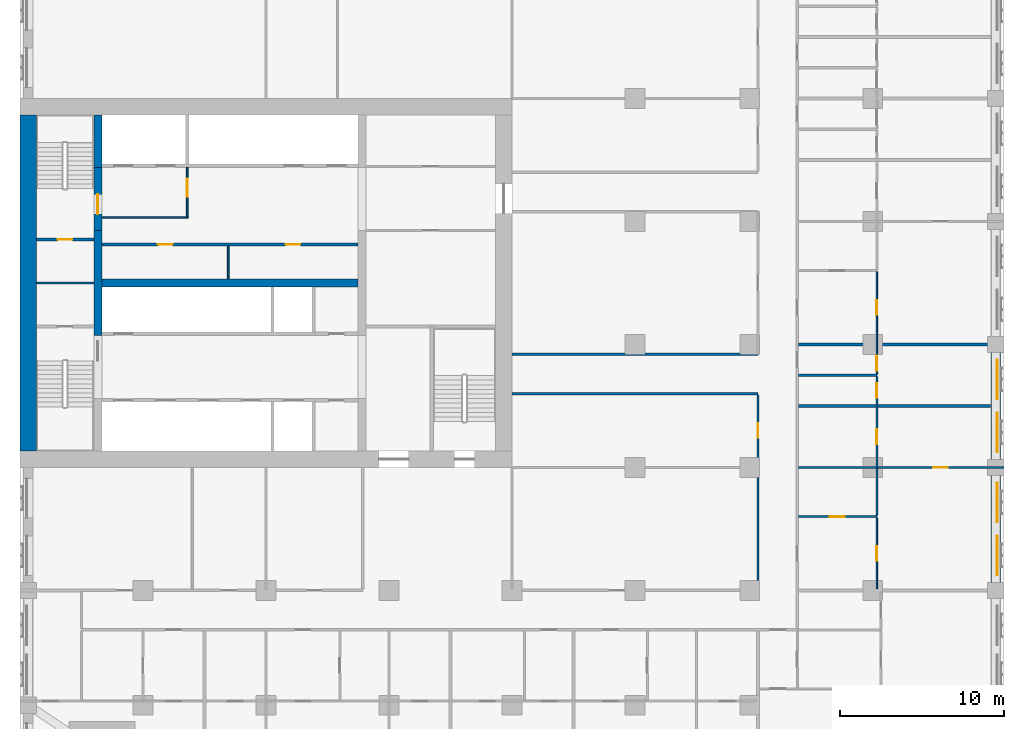
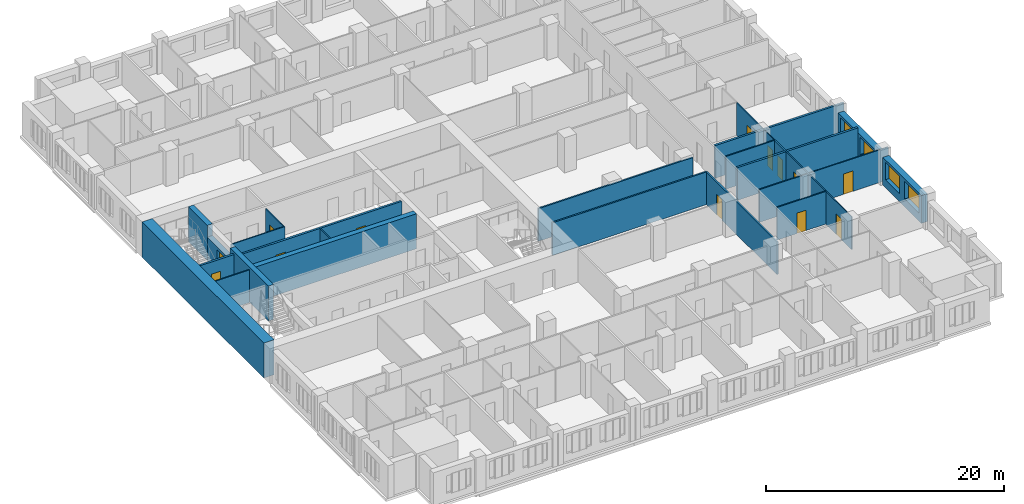
# One storey, part 7 of 14: 25 walls, 13 doors, 4 windows, 17 openings.
"""IFC4 building model written with IfcOpenShell, lengths in metres."""

from ifc_helpers import new_model, si_unit, direction, frame, frame_2d, origin, place, context, subcontext, project, spatial, rectangle, extrude, material, layer, layer_set, type_object, element, fill, save


model = new_model("IFC4")

# Units and contexts
model_context = context("Model", 3, precision=1e-05, world=origin(), true_north=direction((0.0, 1.0)))
body_context = subcontext(model_context, "Body", "Model", "MODEL_VIEW")
ifc_project = project(units=[si_unit("LENGTHUNIT", "METRE"), si_unit("AREAUNIT", "SQUARE_METRE"), si_unit("VOLUMEUNIT", "CUBIC_METRE"), si_unit("PLANEANGLEUNIT", "RADIAN"), si_unit("MASSUNIT", "GRAM", prefix="KILO")], contexts=[model_context])

# Site, building, storey
site_placement = place(None, origin())
site = spatial("IfcSite", under=ifc_project, at=site_placement, CompositionType="ELEMENT")
building_placement = place(site_placement, origin())
building = spatial("IfcBuilding", under=site, at=building_placement, Name="Tamorin Gate", CompositionType="ELEMENT")
storey_placement = place(building_placement, frame((0.0, 0.0, 41.199951171875)))
storey = spatial("IfcBuildingStorey", under=building, at=storey_placement, Name="L08", CompositionType="ELEMENT", Elevation=41.199951171875)

# Wall, openings, windows
ifc_material_1 = material(Name="Precast concrete C40/50", Category="concrete")
ifc_layer_1 = layer(ifc_material_1, 0.60009765625)
ifc_layer_set_1 = layer_set([ifc_layer_1], Name="Precast concrete C40/50")
wall_type_1 = type_object("IfcWallType", Name="Board-marked concrete facade panel 600", PredefinedType="SOLIDWALL", material=ifc_layer_set_1)
wall_1_placement = place(storey_placement, frame((89.5, 53.0, 0.0), z_axis=(0.0, 0.0, 1.0), x_axis=(0.0, 1.0, 0.0)))
wall_1 = element("IfcWall", 1, at=wall_1_placement, inside=storey, type_object=wall_type_1, Name="Facade panel", PredefinedType="SOLIDWALL", context=body_context, shape_type="SweptSolid", body=[
    extrude(rectangle(XDim=6.5, YDim=0.60009765625, at=frame_2d((3.25, 0.0))), origin(), (0.0, 0.0, 1.0), 2.85009765625),
])
opening_1_placement = place(wall_1_placement, frame((0.425048828125, 0.0, 0.800048828125)))
opening_1 = element("IfcOpeningElement", 2, at=opening_1_placement, cuts=wall_1, Name="Opening WN1", PredefinedType="OPENING", context=body_context, shape_type="SweptSolid", body=[
    extrude(rectangle(XDim=2.39990234375, YDim=1.800048828125, at=frame_2d((1.199951171875, 0.89990234375))), frame((0.0, 0.31005859375, 0.0), z_axis=(0.0, -1.0, 0.0), x_axis=(1.0, 0.0, 0.0)), (0.0, 0.0, 1.0), 0.6201171875),
])
opening_2_placement = place(wall_1_placement, frame((3.675048828125, 0.0, 0.800048828125)))
opening_2 = element("IfcOpeningElement", 3, at=opening_2_placement, cuts=wall_1, Name="Opening WN1", PredefinedType="OPENING", context=body_context, shape_type="SweptSolid", body=[
    extrude(rectangle(XDim=2.39990234375, YDim=1.800048828125, at=frame_2d((1.199951171875, 0.89990234375))), frame((0.0, 0.31005859375, 0.0), z_axis=(0.0, -1.0, 0.0), x_axis=(1.0, 0.0, 0.0)), (0.0, 0.0, 1.0), 0.6201171875),
])
ifc_material_2 = material(Name="Clear glass in aluminium frame", Category="aluminium")
window_type = type_object("IfcWindowType", Name="Deep-set window 2400x1800", PartitioningType="SINGLE_PANEL", PredefinedType="WINDOW", material=ifc_material_2)
window_1_placement = place(opening_1_placement, origin())
window_1 = element("IfcWindow", 4, at=window_1_placement, inside=storey, type_object=window_type, Name="Deep-set window", OverallHeight=1.800048828125, OverallWidth=2.39990234375, PartitioningType="SINGLE_PANEL", PredefinedType="WINDOW", context=body_context, shape_type="SweptSolid", body=[
    extrude(rectangle(XDim=2.39990234375, YDim=1.800048828125, at=frame_2d((1.199951171875, 0.89990234375))), frame((0.0, -0.070068359375, 0.0), z_axis=(0.0, -1.0, 0.0), x_axis=(1.0, 0.0, 0.0)), (0.0, 0.0, 1.0), 0.06005859375),
])
fill(opening_1, window_1)
window_2_placement = place(opening_2_placement, origin())
window_2 = element("IfcWindow", 5, at=window_2_placement, inside=storey, type_object=window_type, Name="Deep-set window", OverallHeight=1.800048828125, OverallWidth=2.39990234375, PartitioningType="SINGLE_PANEL", PredefinedType="WINDOW", context=body_context, shape_type="SweptSolid", body=[
    extrude(rectangle(XDim=2.39990234375, YDim=1.800048828125, at=frame_2d((1.199951171875, 0.89990234375))), frame((0.0, -0.070068359375, 0.0), z_axis=(0.0, -1.0, 0.0), x_axis=(1.0, 0.0, 0.0)), (0.0, 0.0, 1.0), 0.06005859375),
])
fill(opening_2, window_2)

wall_2_placement = place(storey_placement, frame((89.5, 60.5, 0.0), z_axis=(0.0, 0.0, 1.0), x_axis=(0.0, 1.0, 0.0)))
wall_2 = element("IfcWall", 6, at=wall_2_placement, inside=storey, type_object=wall_type_1, Name="Facade panel", PredefinedType="SOLIDWALL", context=body_context, shape_type="SweptSolid", body=[
    extrude(rectangle(XDim=6.5, YDim=0.60009765625, at=frame_2d((3.25, 0.0))), origin(), (0.0, 0.0, 1.0), 2.85009765625),
])
opening_3_placement = place(wall_2_placement, frame((0.425048828125, 0.0, 0.800048828125)))
opening_3 = element("IfcOpeningElement", 7, at=opening_3_placement, cuts=wall_2, Name="Opening WN1", PredefinedType="OPENING", context=body_context, shape_type="SweptSolid", body=[
    extrude(rectangle(XDim=2.39990234375, YDim=1.800048828125, at=frame_2d((1.199951171875, 0.89990234375))), frame((0.0, 0.31005859375, 0.0), z_axis=(0.0, -1.0, 0.0), x_axis=(1.0, 0.0, 0.0)), (0.0, 0.0, 1.0), 0.6201171875),
])
opening_4_placement = place(wall_2_placement, frame((3.675048828125, 0.0, 0.800048828125)))
opening_4 = element("IfcOpeningElement", 8, at=opening_4_placement, cuts=wall_2, Name="Opening WN1", PredefinedType="OPENING", context=body_context, shape_type="SweptSolid", body=[
    extrude(rectangle(XDim=2.39990234375, YDim=1.800048828125, at=frame_2d((1.199951171875, 0.89990234375))), frame((0.0, 0.31005859375, 0.0), z_axis=(0.0, -1.0, 0.0), x_axis=(1.0, 0.0, 0.0)), (0.0, 0.0, 1.0), 0.6201171875),
])
window_3_placement = place(opening_3_placement, origin())
window_3 = element("IfcWindow", 9, at=window_3_placement, inside=storey, type_object=window_type, Name="Deep-set window", OverallHeight=1.800048828125, OverallWidth=2.39990234375, PartitioningType="SINGLE_PANEL", PredefinedType="WINDOW", context=body_context, shape_type="SweptSolid", body=[
    extrude(rectangle(XDim=2.39990234375, YDim=1.800048828125, at=frame_2d((1.199951171875, 0.89990234375))), frame((0.0, -0.070068359375, 0.0), z_axis=(0.0, -1.0, 0.0), x_axis=(1.0, 0.0, 0.0)), (0.0, 0.0, 1.0), 0.06005859375),
])
fill(opening_3, window_3)
window_4_placement = place(opening_4_placement, origin())
window_4 = element("IfcWindow", 10, at=window_4_placement, inside=storey, type_object=window_type, Name="Deep-set window", OverallHeight=1.800048828125, OverallWidth=2.39990234375, PartitioningType="SINGLE_PANEL", PredefinedType="WINDOW", context=body_context, shape_type="SweptSolid", body=[
    extrude(rectangle(XDim=2.39990234375, YDim=1.800048828125, at=frame_2d((1.199951171875, 0.89990234375))), frame((0.0, -0.070068359375, 0.0), z_axis=(0.0, -1.0, 0.0), x_axis=(1.0, 0.0, 0.0)), (0.0, 0.0, 1.0), 0.06005859375),
])
fill(opening_4, window_4)

# Wall, opening, door
ifc_material_3 = material(Name="Gypsum board partition")
ifc_layer_2 = layer(ifc_material_3, 0.14990234375)
ifc_layer_set_2 = layer_set([ifc_layer_2], Name="Corridor wall 150")
wall_type_2 = type_object("IfcWallType", Name="Corridor wall 150", PredefinedType="PARTITIONING", material=ifc_layer_set_2)
wall_3_placement = place(storey_placement, frame((75.0, 52.574951171875, 0.0), z_axis=(0.0, 0.0, 1.0), x_axis=(0.0, 1.0, 0.0)))
wall_3 = element("IfcWall", 11, at=wall_3_placement, inside=storey, type_object=wall_type_2, Name="Corridor wall 150", PredefinedType="PARTITIONING", context=body_context, shape_type="SweptSolid", body=[
    extrude(rectangle(XDim=11.85009765625, YDim=0.14990234375, at=frame_2d((5.925048828125, 0.0))), origin(), (0.0, 0.0, 1.0), 3.35009765625),
])
opening_5_placement = place(wall_3_placement, frame((9.22509765625, 0.0, 0.0)))
opening_5 = element("IfcOpeningElement", 12, at=opening_5_placement, cuts=wall_3, Name="Opening DH3081", PredefinedType="OPENING", context=body_context, shape_type="SweptSolid", body=[
    extrude(rectangle(XDim=0.89990234375, YDim=2.10009765625, at=frame_2d((0.449951171875, 1.050048828125))), frame((0.0, 0.0849609375, 0.0), z_axis=(0.0, -1.0, 0.0), x_axis=(1.0, 0.0, 0.0)), (0.0, 0.0, 1.0), 0.169921875),
])
ifc_material_4 = material(Name="Timber door leaf", Category="wood")
door_type_1 = type_object("IfcDoorType", Name="Door 900 x 2100 FD30S", OperationType="NOTDEFINED", PredefinedType="DOOR", material=ifc_material_4)
door_1_placement = place(opening_5_placement, origin())
door_1 = element("IfcDoor", 13, at=door_1_placement, inside=storey, type_object=door_type_1, Name="Door DH3081", OperationType="SINGLE_SWING_LEFT", OverallHeight=2.10009765625, OverallWidth=0.89990234375, PredefinedType="DOOR", context=body_context, shape_type="SweptSolid", body=[
    extrude(rectangle(XDim=0.89990234375, YDim=2.10009765625, at=frame_2d((0.449951171875, 1.050048828125))), frame((0.0, 0.02490234375, 0.0), z_axis=(0.0, -1.0, 0.0), x_axis=(1.0, 0.0, 0.0)), (0.0, 0.0, 1.0), 0.050048828125),
])
fill(opening_5, door_1)

# Walls
ifc_layer_3 = layer(ifc_material_3, 0.199951171875)
ifc_layer_set_3 = layer_set([ifc_layer_3], Name="Demising wall 200")
wall_type_3 = type_object("IfcWallType", Name="Demising wall 200", PredefinedType="PARTITIONING", material=ifc_layer_set_3)
wall_4_placement = place(storey_placement, frame((77.47509765625, 63.75, 0.0), z_axis=(0.0, 0.0, 1.0), x_axis=(1.0, 0.0, 0.0)))
element("IfcWall", 14, at=wall_4_placement, inside=storey, type_object=wall_type_3, Name="Demising wall 200", PredefinedType="PARTITIONING", context=body_context, shape_type="SweptSolid", body=[
    extrude(rectangle(XDim=11.71484375, YDim=0.199951171875, at=frame_2d((5.857421875, 0.0))), origin(), (0.0, 0.0, 1.0), 3.35009765625),
])
wall_5_placement = place(storey_placement, frame((77.47509765625, 67.5, 0.0), z_axis=(0.0, 0.0, 1.0), x_axis=(1.0, 0.0, 0.0)))
element("IfcWall", 15, at=wall_5_placement, inside=storey, type_object=wall_type_3, Name="Demising wall 200", PredefinedType="PARTITIONING", context=body_context, shape_type="SweptSolid", body=[
    extrude(rectangle(XDim=12.52490234375, YDim=0.199951171875, at=frame_2d((6.262451171875, 0.0))), origin(), (0.0, 0.0, 1.0), 3.35009765625),
])
ifc_material_5 = material(Name="Fire-rated gypsum board partition")
ifc_layer_4 = layer(ifc_material_5, 0.10009765625)
ifc_layer_set_4 = layer_set([ifc_layer_4], Name="Lobby wall 100 EI 60")
wall_type_4 = type_object("IfcWallType", Name="Lobby wall 100 EI 60", PredefinedType="PARTITIONING", material=ifc_layer_set_4)
wall_6_placement = place(storey_placement, frame((35.0, 75.25, 0.0), z_axis=(0.0, 0.0, 1.0), x_axis=(1.0, 0.0, 0.0)))
element("IfcWall", 16, at=wall_6_placement, inside=storey, type_object=wall_type_4, Name="Firefighting lobby wall", PredefinedType="PARTITIONING", context=body_context, shape_type="SweptSolid", body=[
    extrude(rectangle(XDim=5.25, YDim=0.10009765625, at=frame_2d((2.625, 0.0))), origin(), (0.0, 0.0, 1.0), 3.35009765625),
])

# Wall, opening, door
wall_7_placement = place(storey_placement, frame((40.199951171875, 75.300048828125, 0.0), z_axis=(0.0, 0.0, 1.0), x_axis=(0.0, 1.0, 0.0)))
wall_7 = element("IfcWall", 17, at=wall_7_placement, inside=storey, type_object=wall_type_4, Name="Firefighting lobby wall", PredefinedType="PARTITIONING", context=body_context, shape_type="SweptSolid", body=[
    extrude(rectangle(XDim=3.0, YDim=0.10009765625, at=frame_2d((1.5, 0.0))), origin(), (0.0, 0.0, 1.0), 3.35009765625),
])
opening_6_placement = place(wall_7_placement, frame((1.199951171875, 0.0, 0.0)))
opening_6 = element("IfcOpeningElement", 18, at=opening_6_placement, cuts=wall_7, Name="Opening DF1", PredefinedType="OPENING", context=body_context, shape_type="SweptSolid", body=[
    extrude(rectangle(XDim=1.10009765625, YDim=2.10009765625, at=frame_2d((0.550048828125, 1.050048828125))), frame((0.0, 0.06005859375, 0.0), z_axis=(0.0, -1.0, 0.0), x_axis=(1.0, 0.0, 0.0)), (0.0, 0.0, 1.0), 0.1201171875),
])
ifc_material_6 = material(Name="Steel fire door", Category="steel")
door_type_2 = type_object("IfcDoorType", Name="Firefighting lobby door 1100 x 2100 EI 90", OperationType="SINGLE_SWING_LEFT", PredefinedType="DOOR", material=ifc_material_6)
door_2_placement = place(opening_6_placement, origin())
door_2 = element("IfcDoor", 19, at=door_2_placement, inside=storey, type_object=door_type_2, Name="Firefighting lobby door", OperationType="SINGLE_SWING_LEFT", OverallHeight=2.10009765625, OverallWidth=1.10009765625, PredefinedType="DOOR", context=body_context, shape_type="SweptSolid", body=[
    extrude(rectangle(XDim=1.10009765625, YDim=2.10009765625, at=frame_2d((0.550048828125, 1.050048828125))), frame((0.0, 0.02490234375, 0.0), z_axis=(0.0, -1.0, 0.0), x_axis=(1.0, 0.0, 0.0)), (0.0, 0.0, 1.0), 0.050048828125),
])
fill(opening_6, door_2)

# Walls
ifc_layer_5 = layer(ifc_material_3, 0.14990234375)
ifc_layer_set_5 = layer_set([ifc_layer_5], Name="Lobby wall 150")
wall_type_5 = type_object("IfcWallType", Name="Lobby wall 150", PredefinedType="PARTITIONING", material=ifc_layer_set_5)
for number, where, z_axis, x_axis, name in (
    (20, (60.0, 64.5, 0.0), (0.0, 0.0, 1.0), (1.0, 0.0, 0.0), "Lobby wall 150"),
    (21, (60.0, 66.89990234375, 0.0), (0.0, 0.0, 1.0), (1.0, 0.0, 0.0), "Lobby wall 150"),
):
    element("IfcWall", number, at=place(storey_placement, frame(where, z_axis=z_axis, x_axis=x_axis)), inside=storey, type_object=wall_type_5, Name=name, PredefinedType="PARTITIONING", context=body_context, shape_type="SweptSolid", body=[
        extrude(rectangle(XDim=15.0, YDim=0.14990234375, at=frame_2d((7.5, 0.0))), origin(), (0.0, 0.0, 1.0), 3.35009765625),
    ])
ifc_material_7 = material(Name="Concrete C80/95", Category="concrete")
ifc_layer_6 = layer(ifc_material_7, 0.5)
ifc_layer_set_6 = layer_set([ifc_layer_6], Name="RC core internal wall 500 C80/95")
wall_type_6 = type_object("IfcWallType", Name="RC core internal wall 500 C80/95", PredefinedType="SHEAR", material=ifc_layer_set_6)
wall_8_placement = place(storey_placement, frame((35.0, 71.25, 0.0), z_axis=(0.0, 0.0, 1.0), x_axis=(1.0, 0.0, 0.0)))
element("IfcWall", 22, at=wall_8_placement, inside=storey, type_object=wall_type_6, Name="Core spine wall L08", PredefinedType="SHEAR", context=body_context, shape_type="SweptSolid", body=[
    extrude(rectangle(XDim=15.60009765625, YDim=0.5, at=frame_2d((7.800048828125, 0.0))), origin(), (0.0, 0.0, 1.0), 3.60009765625),
])
wall_9_placement = place(storey_placement, frame((34.75, 68.050048828125, 0.0), z_axis=(0.0, 0.0, 1.0), x_axis=(0.0, 1.0, 0.0)))
element("IfcWall", 23, at=wall_9_placement, inside=storey, type_object=wall_type_6, Name="Core cross wall L08", PredefinedType="SHEAR", context=body_context, shape_type="SweptSolid", body=[
    extrude(rectangle(XDim=6.39990234375, YDim=0.5, at=frame_2d((3.199951171875, 0.0))), origin(), (0.0, 0.0, 1.0), 3.60009765625),
])
wall_10_placement = place(storey_placement, frame((34.75, 78.300048828125, 0.0), z_axis=(0.0, 0.0, 1.0), x_axis=(0.0, 1.0, 0.0)))
element("IfcWall", 24, at=wall_10_placement, inside=storey, type_object=wall_type_6, Name="Core cross wall L08", PredefinedType="SHEAR", context=body_context, shape_type="SweptSolid", body=[
    extrude(rectangle(XDim=3.199951171875, YDim=0.5, at=frame_2d((1.60009765625, 0.0))), origin(), (0.0, 0.0, 1.0), 3.60009765625),
])
ifc_layer_7 = layer(ifc_material_7, 1.0)
ifc_layer_set_7 = layer_set([ifc_layer_7], Name="RC core wall 1000 C80/95")
wall_type_7 = type_object("IfcWallType", Name="RC core wall 1000 C80/95", PredefinedType="SHEAR", material=ifc_layer_set_7)
wall_11_placement = place(storey_placement, frame((30.5, 61.0, 0.0), z_axis=(0.0, 0.0, 1.0), x_axis=(0.0, 1.0, 0.0)))
element("IfcWall", 25, at=wall_11_placement, inside=storey, type_object=wall_type_7, Name="Core wall L08", PredefinedType="SHEAR", context=body_context, shape_type="SweptSolid", body=[
    extrude(rectangle(XDim=20.5, YDim=1.0, at=frame_2d((10.25, 0.0))), origin(), (0.0, 0.0, 1.0), 3.60009765625),
])
ifc_layer_8 = layer(ifc_material_5, 0.10009765625)
ifc_layer_set_8 = layer_set([ifc_layer_8], Name="Riser partition 100 EI 120")
wall_type_8 = type_object("IfcWallType", Name="Riser partition 100 EI 120", PredefinedType="PARTITIONING", material=ifc_layer_set_8)
wall_12_placement = place(storey_placement, frame((31.0, 71.25, 0.0), z_axis=(0.0, 0.0, 1.0), x_axis=(1.0, 0.0, 0.0)))
element("IfcWall", 26, at=wall_12_placement, inside=storey, type_object=wall_type_8, Name="Riser partition", PredefinedType="PARTITIONING", context=body_context, shape_type="SweptSolid", body=[
    extrude(rectangle(XDim=3.5, YDim=0.10009765625, at=frame_2d((1.75, 0.0))), origin(), (0.0, 0.0, 1.0), 3.35009765625),
])

# Wall, opening, door
ifc_layer_9 = layer(ifc_material_3, 0.10009765625)
ifc_layer_set_9 = layer_set([ifc_layer_9], Name="Room partition 100")
wall_type_9 = type_object("IfcWallType", Name="Room partition 100", PredefinedType="PARTITIONING", material=ifc_layer_set_9)
wall_13_placement = place(storey_placement, frame((82.3125, 60.0, 0.0), z_axis=(0.0, 0.0, 1.0), x_axis=(1.0, 0.0, 0.0)))
wall_13 = element("IfcWall", 27, at=wall_13_placement, inside=storey, type_object=wall_type_9, Name="Room partition 100", PredefinedType="PARTITIONING", context=body_context, shape_type="SweptSolid", body=[
    extrude(rectangle(XDim=7.6875, YDim=0.10009765625, at=frame_2d((3.84375, 0.0))), origin(), (0.0, 0.0, 1.0), 3.35009765625),
])
opening_7_placement = place(wall_13_placement, frame((3.362548828125, 0.0, 0.0)))
opening_7 = element("IfcOpeningElement", 28, at=opening_7_placement, cuts=wall_13, Name="Opening DH3043", PredefinedType="OPENING", context=body_context, shape_type="SweptSolid", body=[
    extrude(rectangle(XDim=0.89990234375, YDim=2.10009765625, at=frame_2d((0.449951171875, 1.050048828125))), frame((0.0, 0.06005859375, 0.0), z_axis=(0.0, -1.0, 0.0), x_axis=(1.0, 0.0, 0.0)), (0.0, 0.0, 1.0), 0.1201171875),
])
door_type_3 = type_object("IfcDoorType", Name="Door 900 x 2100", OperationType="NOTDEFINED", PredefinedType="DOOR", material=ifc_material_4)
door_3_placement = place(opening_7_placement, origin())
door_3 = element("IfcDoor", 29, at=door_3_placement, inside=storey, type_object=door_type_3, Name="Door DH3043", OperationType="SINGLE_SWING_RIGHT", OverallHeight=2.10009765625, OverallWidth=0.89990234375, PredefinedType="DOOR", context=body_context, shape_type="SweptSolid", body=[
    extrude(rectangle(XDim=0.89990234375, YDim=2.10009765625, at=frame_2d((0.449951171875, 1.050048828125))), frame((0.0, 0.02490234375, 0.0), z_axis=(0.0, -1.0, 0.0), x_axis=(1.0, 0.0, 0.0)), (0.0, 0.0, 1.0), 0.050048828125),
])
fill(opening_7, door_3)

wall_14_placement = place(storey_placement, frame((82.25, 52.60009765625, 0.0), z_axis=(0.0, 0.0, 1.0), x_axis=(0.0, 1.0, 0.0)))
wall_14 = element("IfcWall", 30, at=wall_14_placement, inside=storey, type_object=wall_type_9, Name="Room partition 100", PredefinedType="PARTITIONING", context=body_context, shape_type="SweptSolid", body=[
    extrude(rectangle(XDim=4.33740234375, YDim=0.10009765625, at=frame_2d((2.168701171875, 0.0))), origin(), (0.0, 0.0, 1.0), 3.35009765625),
])
opening_8_placement = place(wall_14_placement, frame((1.699951171875, 0.0, 0.0)))
opening_8 = element("IfcOpeningElement", 31, at=opening_8_placement, cuts=wall_14, Name="Opening DH3040", PredefinedType="OPENING", context=body_context, shape_type="SweptSolid", body=[
    extrude(rectangle(XDim=0.89990234375, YDim=2.10009765625, at=frame_2d((0.449951171875, 1.050048828125))), frame((0.0, 0.06005859375, 0.0), z_axis=(0.0, -1.0, 0.0), x_axis=(1.0, 0.0, 0.0)), (0.0, 0.0, 1.0), 0.1201171875),
])
door_4_placement = place(opening_8_placement, origin())
door_4 = element("IfcDoor", 32, at=door_4_placement, inside=storey, type_object=door_type_3, Name="Door DH3040", OperationType="SINGLE_SWING_LEFT", OverallHeight=2.10009765625, OverallWidth=0.89990234375, PredefinedType="DOOR", context=body_context, shape_type="SweptSolid", body=[
    extrude(rectangle(XDim=0.89990234375, YDim=2.10009765625, at=frame_2d((0.449951171875, 1.050048828125))), frame((0.0, 0.02490234375, 0.0), z_axis=(0.0, -1.0, 0.0), x_axis=(1.0, 0.0, 0.0)), (0.0, 0.0, 1.0), 0.050048828125),
])
fill(opening_8, door_4)

# Wall, openings, doors
wall_15_placement = place(storey_placement, frame((82.25, 65.6875, 0.0), z_axis=(0.0, 0.0, 1.0), x_axis=(0.0, 1.0, 0.0)))
wall_15 = element("IfcWall", 33, at=wall_15_placement, inside=storey, type_object=wall_type_9, Name="Room partition 100", PredefinedType="PARTITIONING", context=body_context, shape_type="SweptSolid", body=[
    extrude(rectangle(XDim=6.25, YDim=0.10009765625, at=frame_2d((3.125, 0.0))), origin(), (0.0, 0.0, 1.0), 3.35009765625),
])
opening_9_placement = place(wall_15_placement, frame((0.22509765625, 0.0, 0.0)))
opening_9 = element("IfcOpeningElement", 34, at=opening_9_placement, cuts=wall_15, Name="Opening DH3046", PredefinedType="OPENING", context=body_context, shape_type="SweptSolid", body=[
    extrude(rectangle(XDim=0.89990234375, YDim=2.10009765625, at=frame_2d((0.449951171875, 1.050048828125))), frame((0.0, 0.06005859375, 0.0), z_axis=(0.0, -1.0, 0.0), x_axis=(1.0, 0.0, 0.0)), (0.0, 0.0, 1.0), 0.1201171875),
])
opening_10_placement = place(wall_15_placement, frame((3.612548828125, 0.0, 0.0)))
opening_10 = element("IfcOpeningElement", 35, at=opening_10_placement, cuts=wall_15, Name="Opening DH3048", PredefinedType="OPENING", context=body_context, shape_type="SweptSolid", body=[
    extrude(rectangle(XDim=0.89990234375, YDim=2.10009765625, at=frame_2d((0.449951171875, 1.050048828125))), frame((0.0, 0.06005859375, 0.0), z_axis=(0.0, -1.0, 0.0), x_axis=(1.0, 0.0, 0.0)), (0.0, 0.0, 1.0), 0.1201171875),
])
door_5_placement = place(opening_9_placement, origin())
door_5 = element("IfcDoor", 36, at=door_5_placement, inside=storey, type_object=door_type_3, Name="Door DH3046", OperationType="SINGLE_SWING_LEFT", OverallHeight=2.10009765625, OverallWidth=0.89990234375, PredefinedType="DOOR", context=body_context, shape_type="SweptSolid", body=[
    extrude(rectangle(XDim=0.89990234375, YDim=2.10009765625, at=frame_2d((0.449951171875, 1.050048828125))), frame((0.0, 0.02490234375, 0.0), z_axis=(0.0, -1.0, 0.0), x_axis=(1.0, 0.0, 0.0)), (0.0, 0.0, 1.0), 0.050048828125),
])
fill(opening_9, door_5)
door_6_placement = place(opening_10_placement, origin())
door_6 = element("IfcDoor", 37, at=door_6_placement, inside=storey, type_object=door_type_3, Name="Door DH3048", OperationType="SINGLE_SWING_LEFT", OverallHeight=2.10009765625, OverallWidth=0.89990234375, PredefinedType="DOOR", context=body_context, shape_type="SweptSolid", body=[
    extrude(rectangle(XDim=0.89990234375, YDim=2.10009765625, at=frame_2d((0.449951171875, 1.050048828125))), frame((0.0, 0.02490234375, 0.0), z_axis=(0.0, -1.0, 0.0), x_axis=(1.0, 0.0, 0.0)), (0.0, 0.0, 1.0), 0.050048828125),
])
fill(opening_10, door_6)

ifc_layer_10 = layer(ifc_material_3, 0.199951171875)
ifc_layer_set_10 = layer_set([ifc_layer_10], Name="Service room face wall 200 EI 60")
wall_type_10 = type_object("IfcWallType", Name="Service room face wall 200 EI 60", PredefinedType="PARTITIONING", material=ifc_layer_set_10)
wall_16_placement = place(storey_placement, frame((35.0, 73.60009765625, 0.0), z_axis=(0.0, 0.0, 1.0), x_axis=(1.0, 0.0, 0.0)))
wall_16 = element("IfcWall", 38, at=wall_16_placement, inside=storey, type_object=wall_type_10, Name="Service room face wall", PredefinedType="PARTITIONING", context=body_context, shape_type="SweptSolid", body=[
    extrude(rectangle(XDim=15.60009765625, YDim=0.199951171875, at=frame_2d((7.800048828125, 0.0))), origin(), (0.0, 0.0, 1.0), 3.35009765625),
])
opening_11_placement = place(wall_16_placement, frame((3.39990234375, 0.0, 0.0)))
opening_11 = element("IfcOpeningElement", 39, at=opening_11_placement, cuts=wall_16, Name="Opening DK1", PredefinedType="OPENING", context=body_context, shape_type="SweptSolid", body=[
    extrude(rectangle(XDim=0.89990234375, YDim=2.10009765625, at=frame_2d((0.449951171875, 1.050048828125))), frame((0.0, 0.10986328125, 0.0), z_axis=(0.0, -1.0, 0.0), x_axis=(1.0, 0.0, 0.0)), (0.0, 0.0, 1.0), 0.219970703125),
])
opening_12_placement = place(wall_16_placement, frame((11.199951171875, 0.0, 0.0)))
opening_12 = element("IfcOpeningElement", 40, at=opening_12_placement, cuts=wall_16, Name="Opening DK1", PredefinedType="OPENING", context=body_context, shape_type="SweptSolid", body=[
    extrude(rectangle(XDim=0.89990234375, YDim=2.10009765625, at=frame_2d((0.449951171875, 1.050048828125))), frame((0.0, 0.10986328125, 0.0), z_axis=(0.0, -1.0, 0.0), x_axis=(1.0, 0.0, 0.0)), (0.0, 0.0, 1.0), 0.219970703125),
])
ifc_material_8 = material(Name="Timber fire door", Category="wood")
door_type_4 = type_object("IfcDoorType", Name="Service room door 900 x 2100 EI 60", OperationType="SINGLE_SWING_LEFT", PredefinedType="DOOR", material=ifc_material_8)
door_7_placement = place(opening_11_placement, origin())
door_7 = element("IfcDoor", 41, at=door_7_placement, inside=storey, type_object=door_type_4, Name="Door Housekeeping store", OperationType="SINGLE_SWING_RIGHT", OverallHeight=2.10009765625, OverallWidth=0.89990234375, PredefinedType="DOOR", context=body_context, shape_type="SweptSolid", body=[
    extrude(rectangle(XDim=0.89990234375, YDim=2.10009765625, at=frame_2d((0.449951171875, 1.050048828125))), frame((0.0, 0.02490234375, 0.0), z_axis=(0.0, -1.0, 0.0), x_axis=(1.0, 0.0, 0.0)), (0.0, 0.0, 1.0), 0.050048828125),
])
fill(opening_11, door_7)
door_8_placement = place(opening_12_placement, origin())
door_8 = element("IfcDoor", 42, at=door_8_placement, inside=storey, type_object=door_type_4, Name="Door Electrical and IT room", OperationType="SINGLE_SWING_LEFT", OverallHeight=2.10009765625, OverallWidth=0.89990234375, PredefinedType="DOOR", context=body_context, shape_type="SweptSolid", body=[
    extrude(rectangle(XDim=0.89990234375, YDim=2.10009765625, at=frame_2d((0.449951171875, 1.050048828125))), frame((0.0, 0.02490234375, 0.0), z_axis=(0.0, -1.0, 0.0), x_axis=(1.0, 0.0, 0.0)), (0.0, 0.0, 1.0), 0.050048828125),
])
fill(opening_12, door_8)

# Wall
ifc_layer_11 = layer(ifc_material_3, 0.10009765625)
ifc_layer_set_11 = layer_set([ifc_layer_11], Name="Service room partition 100 EI 60")
wall_type_11 = type_object("IfcWallType", Name="Service room partition 100 EI 60", PredefinedType="PARTITIONING", material=ifc_layer_set_11)
wall_17_placement = place(storey_placement, frame((42.699951171875, 71.5, 0.0), z_axis=(0.0, 0.0, 1.0), x_axis=(0.0, 1.0, 0.0)))
element("IfcWall", 43, at=wall_17_placement, inside=storey, type_object=wall_type_11, Name="Service room partition", PredefinedType="PARTITIONING", context=body_context, shape_type="SweptSolid", body=[
    extrude(rectangle(XDim=2.0, YDim=0.10009765625, at=frame_2d((1.0, 0.0))), origin(), (0.0, 0.0, 1.0), 3.35009765625),
])

# Wall, opening, door
ifc_material_9 = material(Name="Concrete C40/50", Category="concrete")
ifc_layer_12 = layer(ifc_material_9, 0.199951171875)
ifc_layer_set_12 = layer_set([ifc_layer_12], Name="Stair enclosure wall 200 EI 120 C40/50")
wall_type_12 = type_object("IfcWallType", Name="Stair enclosure wall 200 EI 120 C40/50", PredefinedType="SOLIDWALL", material=ifc_layer_set_12)
wall_18_placement = place(storey_placement, frame((31.0, 73.89990234375, 0.0), z_axis=(0.0, 0.0, 1.0), x_axis=(1.0, 0.0, 0.0)))
wall_18 = element("IfcWall", 44, at=wall_18_placement, inside=storey, type_object=wall_type_12, Name="Stair enclosure wall", PredefinedType="SOLIDWALL", context=body_context, shape_type="SweptSolid", body=[
    extrude(rectangle(XDim=3.5, YDim=0.199951171875, at=frame_2d((1.75, 0.0))), origin(), (0.0, 0.0, 1.0), 3.35009765625),
])
opening_13_placement = place(wall_18_placement, frame((1.300048828125, 0.0, 0.0)))
opening_13 = element("IfcOpeningElement", 45, at=opening_13_placement, cuts=wall_18, Name="Opening DR1", PredefinedType="OPENING", context=body_context, shape_type="SweptSolid", body=[
    extrude(rectangle(XDim=0.89990234375, YDim=2.10009765625, at=frame_2d((0.449951171875, 1.050048828125))), frame((0.0, 0.10986328125, 0.0), z_axis=(0.0, -1.0, 0.0), x_axis=(1.0, 0.0, 0.0)), (0.0, 0.0, 1.0), 0.219970703125),
])
door_type_5 = type_object("IfcDoorType", Name="Riser access door 900 x 2100 EI 120", OperationType="SINGLE_SWING_LEFT", PredefinedType="DOOR", material=ifc_material_6)
door_9_placement = place(opening_13_placement, origin())
door_9 = element("IfcDoor", 46, at=door_9_placement, inside=storey, type_object=door_type_5, Name="Communications riser door", OperationType="SINGLE_SWING_RIGHT", OverallHeight=2.10009765625, OverallWidth=0.89990234375, PredefinedType="DOOR", context=body_context, shape_type="SweptSolid", body=[
    extrude(rectangle(XDim=0.89990234375, YDim=2.10009765625, at=frame_2d((0.449951171875, 1.050048828125))), frame((0.0, 0.02490234375, 0.0), z_axis=(0.0, -1.0, 0.0), x_axis=(1.0, 0.0, 0.0)), (0.0, 0.0, 1.0), 0.050048828125),
])
fill(opening_13, door_9)

ifc_material_10 = material(Name="Concrete C32/40", Category="concrete")
ifc_layer_13 = layer(ifc_material_10, 0.5)
ifc_layer_set_13 = layer_set([ifc_layer_13], Name="Stair lobby infill wall 500 EI 120")
wall_type_13 = type_object("IfcWallType", Name="Stair lobby infill wall 500 EI 120", PredefinedType="SOLIDWALL", material=ifc_layer_set_13)
wall_19_placement = place(storey_placement, frame((34.75, 74.449951171875, 0.0), z_axis=(0.0, 0.0, 1.0), x_axis=(0.0, 1.0, 0.0)))
wall_19 = element("IfcWall", 47, at=wall_19_placement, inside=storey, type_object=wall_type_13, Name="Stair lobby infill wall", PredefinedType="SOLIDWALL", context=body_context, shape_type="SweptSolid", body=[
    extrude(rectangle(XDim=3.85009765625, YDim=0.5, at=frame_2d((1.925048828125, 0.0))), origin(), (0.0, 0.0, 1.0), 2.400146484375),
])
opening_14_placement = place(wall_19_placement, frame((1.0, 0.0, 0.0)))
opening_14 = element("IfcOpeningElement", 48, at=opening_14_placement, cuts=wall_19, Name="Opening DS1", PredefinedType="OPENING", context=body_context, shape_type="SweptSolid", body=[
    extrude(rectangle(XDim=1.199951171875, YDim=2.10009765625, at=frame_2d((0.60009765625, 1.050048828125))), frame((0.0, 0.260009765625, 0.0), z_axis=(0.0, -1.0, 0.0), x_axis=(1.0, 0.0, 0.0)), (0.0, 0.0, 1.0), 0.52001953125),
])
door_type_6 = type_object("IfcDoorType", Name="Stair door 1200 x 2100 EI 90", OperationType="SINGLE_SWING_LEFT", PredefinedType="DOOR", material=ifc_material_6)
door_10_placement = place(opening_14_placement, origin())
door_10 = element("IfcDoor", 49, at=door_10_placement, inside=storey, type_object=door_type_6, Name="ST2 door", OperationType="SINGLE_SWING_RIGHT", OverallHeight=2.10009765625, OverallWidth=1.199951171875, PredefinedType="DOOR", context=body_context, shape_type="SweptSolid", body=[
    extrude(rectangle(XDim=1.199951171875, YDim=2.10009765625, at=frame_2d((0.60009765625, 1.050048828125))), frame((0.0, 0.02490234375, 0.0), z_axis=(0.0, -1.0, 0.0), x_axis=(1.0, 0.0, 0.0)), (0.0, 0.0, 1.0), 0.050048828125),
])
fill(opening_14, door_10)

ifc_layer_14 = layer(ifc_material_3, 0.125)
ifc_layer_set_14 = layer_set([ifc_layer_14], Name="Wet wall 125")
wall_type_14 = type_object("IfcWallType", Name="Wet wall 125", PredefinedType="PARTITIONING", material=ifc_layer_set_14)
wall_20_placement = place(storey_placement, frame((77.47509765625, 57.0, 0.0), z_axis=(0.0, 0.0, 1.0), x_axis=(1.0, 0.0, 0.0)))
wall_20 = element("IfcWall", 50, at=wall_20_placement, inside=storey, type_object=wall_type_14, Name="Wet wall 125", PredefinedType="PARTITIONING", context=body_context, shape_type="SweptSolid", body=[
    extrude(rectangle(XDim=4.77490234375, YDim=0.125, at=frame_2d((2.387451171875, 0.0))), origin(), (0.0, 0.0, 1.0), 3.35009765625),
])
opening_15_placement = place(wall_20_placement, frame((1.89990234375, 0.0, 0.0)))
opening_15 = element("IfcOpeningElement", 51, at=opening_15_placement, cuts=wall_20, Name="Opening DH3041", PredefinedType="OPENING", context=body_context, shape_type="SweptSolid", body=[
    extrude(rectangle(XDim=0.89990234375, YDim=2.10009765625, at=frame_2d((0.449951171875, 1.050048828125))), frame((0.0, 0.072509765625, 0.0), z_axis=(0.0, -1.0, 0.0), x_axis=(1.0, 0.0, 0.0)), (0.0, 0.0, 1.0), 0.14501953125),
])
door_11_placement = place(opening_15_placement, origin())
door_11 = element("IfcDoor", 52, at=door_11_placement, inside=storey, type_object=door_type_3, Name="Door DH3041", OperationType="SINGLE_SWING_RIGHT", OverallHeight=2.10009765625, OverallWidth=0.89990234375, PredefinedType="DOOR", context=body_context, shape_type="SweptSolid", body=[
    extrude(rectangle(XDim=0.89990234375, YDim=2.10009765625, at=frame_2d((0.449951171875, 1.050048828125))), frame((0.0, 0.02490234375, 0.0), z_axis=(0.0, -1.0, 0.0), x_axis=(1.0, 0.0, 0.0)), (0.0, 0.0, 1.0), 0.050048828125),
])
fill(opening_15, door_11)

# Walls
wall_21_placement = place(storey_placement, frame((77.47509765625, 60.0, 0.0), z_axis=(0.0, 0.0, 1.0), x_axis=(1.0, 0.0, 0.0)))
element("IfcWall", 53, at=wall_21_placement, inside=storey, type_object=wall_type_14, Name="Wet wall 125", PredefinedType="PARTITIONING", context=body_context, shape_type="SweptSolid", body=[
    extrude(rectangle(XDim=4.71240234375, YDim=0.125, at=frame_2d((2.356201171875, 0.0))), origin(), (0.0, 0.0, 1.0), 3.35009765625),
])
wall_22_placement = place(storey_placement, frame((77.47509765625, 65.625, 0.0), z_axis=(0.0, 0.0, 1.0), x_axis=(1.0, 0.0, 0.0)))
element("IfcWall", 54, at=wall_22_placement, inside=storey, type_object=wall_type_14, Name="Wet wall 125", PredefinedType="PARTITIONING", context=body_context, shape_type="SweptSolid", body=[
    extrude(rectangle(XDim=4.77490234375, YDim=0.125, at=frame_2d((2.387451171875, 0.0))), origin(), (0.0, 0.0, 1.0), 3.35009765625),
])

# Wall, openings, doors
wall_23_placement = place(storey_placement, frame((82.25, 57.0625, 0.0), z_axis=(0.0, 0.0, 1.0), x_axis=(0.0, 1.0, 0.0)))
wall_23 = element("IfcWall", 55, at=wall_23_placement, inside=storey, type_object=wall_type_14, Name="Wet wall 125", PredefinedType="PARTITIONING", context=body_context, shape_type="SweptSolid", body=[
    extrude(rectangle(XDim=8.5, YDim=0.125, at=frame_2d((4.25, 0.0))), origin(), (0.0, 0.0, 1.0), 3.35009765625),
])
opening_16_placement = place(wall_23_placement, frame((4.362548828125, 0.0, 0.0)))
opening_16 = element("IfcOpeningElement", 56, at=opening_16_placement, cuts=wall_23, Name="Opening DH3042", PredefinedType="OPENING", context=body_context, shape_type="SweptSolid", body=[
    extrude(rectangle(XDim=0.89990234375, YDim=2.10009765625, at=frame_2d((0.449951171875, 1.050048828125))), frame((0.0, 0.072509765625, 0.0), z_axis=(0.0, -1.0, 0.0), x_axis=(1.0, 0.0, 0.0)), (0.0, 0.0, 1.0), 0.14501953125),
])
opening_17_placement = place(wall_23_placement, frame((7.175048828125, 0.0, 0.0)))
opening_17 = element("IfcOpeningElement", 57, at=opening_17_placement, cuts=wall_23, Name="Opening DH3044", PredefinedType="OPENING", context=body_context, shape_type="SweptSolid", body=[
    extrude(rectangle(XDim=0.89990234375, YDim=2.10009765625, at=frame_2d((0.449951171875, 1.050048828125))), frame((0.0, 0.072509765625, 0.0), z_axis=(0.0, -1.0, 0.0), x_axis=(1.0, 0.0, 0.0)), (0.0, 0.0, 1.0), 0.14501953125),
])
door_12_placement = place(opening_16_placement, origin())
door_12 = element("IfcDoor", 58, at=door_12_placement, inside=storey, type_object=door_type_3, Name="Door DH3042", OperationType="SINGLE_SWING_LEFT", OverallHeight=2.10009765625, OverallWidth=0.89990234375, PredefinedType="DOOR", context=body_context, shape_type="SweptSolid", body=[
    extrude(rectangle(XDim=0.89990234375, YDim=2.10009765625, at=frame_2d((0.449951171875, 1.050048828125))), frame((0.0, 0.02490234375, 0.0), z_axis=(0.0, -1.0, 0.0), x_axis=(1.0, 0.0, 0.0)), (0.0, 0.0, 1.0), 0.050048828125),
])
fill(opening_16, door_12)
door_13_placement = place(opening_17_placement, origin())
door_13 = element("IfcDoor", 59, at=door_13_placement, inside=storey, type_object=door_type_3, Name="Door DH3044", OperationType="SINGLE_SWING_LEFT", OverallHeight=2.10009765625, OverallWidth=0.89990234375, PredefinedType="DOOR", context=body_context, shape_type="SweptSolid", body=[
    extrude(rectangle(XDim=0.89990234375, YDim=2.10009765625, at=frame_2d((0.449951171875, 1.050048828125))), frame((0.0, 0.02490234375, 0.0), z_axis=(0.0, -1.0, 0.0), x_axis=(1.0, 0.0, 0.0)), (0.0, 0.0, 1.0), 0.050048828125),
])
fill(opening_17, door_13)

save(model, "model.ifc")
